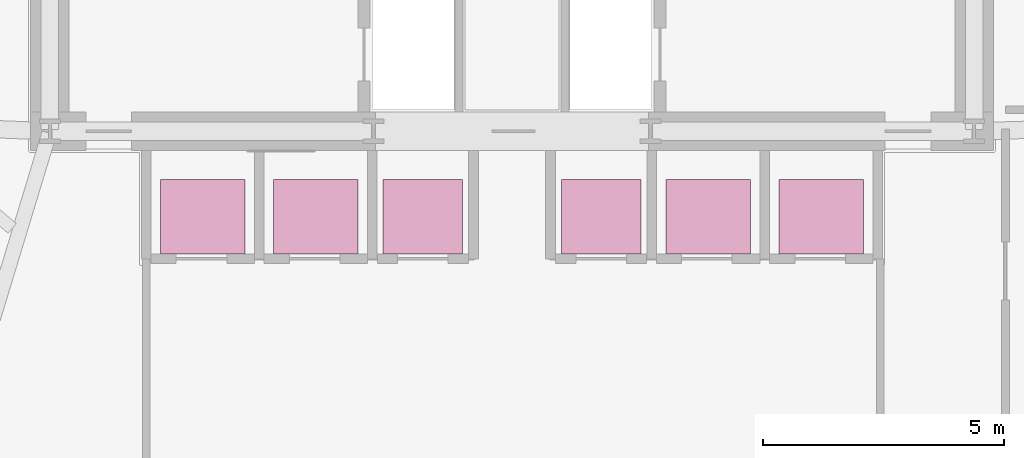
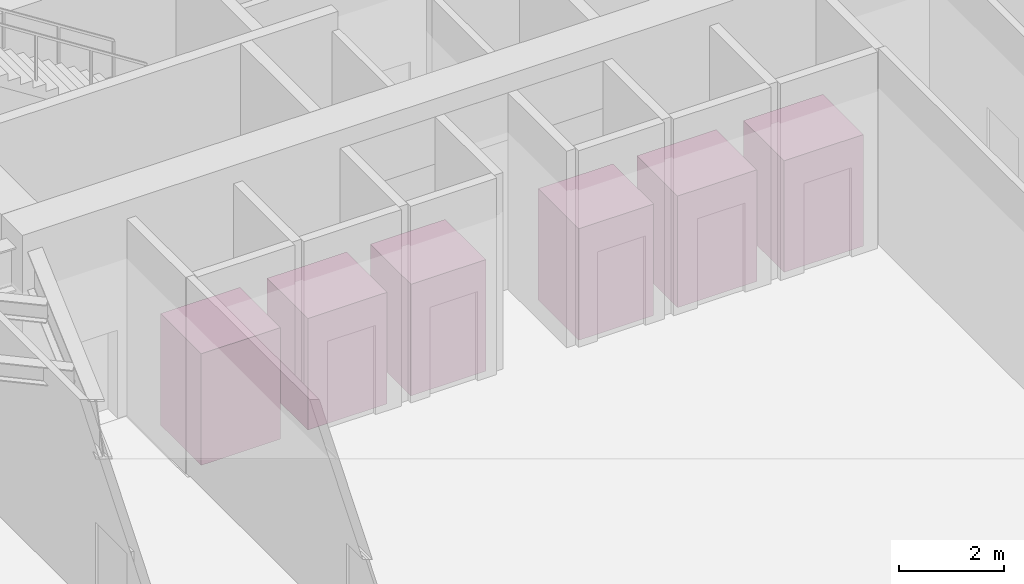
# One storey, part 31 of 31: 6 transport elements.
"""IFC4 building model written with IfcOpenShell, lengths in metres."""

from ifc_helpers import new_model, si_unit, direction, frame, origin, origin_2d, place, context, subcontext, project, spatial, rectangle, extrude, source, transform, mapped, material, type_object, type_shapes, element, save


model = new_model("IFC4")

# Units and contexts
model_context = context("Model", 3, precision=1e-05, world=origin(), true_north=direction((0.0, 1.0)))
body_context = subcontext(model_context, "Body", "Model", "MODEL_VIEW")
ifc_project = project(units=[si_unit("LENGTHUNIT", "METRE"), si_unit("AREAUNIT", "SQUARE_METRE"), si_unit("VOLUMEUNIT", "CUBIC_METRE"), si_unit("PLANEANGLEUNIT", "RADIAN"), si_unit("MASSUNIT", "GRAM", prefix="KILO")], contexts=[model_context])

# Site, building, storey
site_placement = place(None, origin())
site = spatial("IfcSite", under=ifc_project, at=site_placement, CompositionType="ELEMENT")
building_placement = place(site_placement, origin())
building = spatial("IfcBuilding", under=site, at=building_placement, Name="Astriad Promenade Condominiums", CompositionType="ELEMENT")
storey_placement = place(building_placement, origin())
storey = spatial("IfcBuildingStorey", under=building, at=storey_placement, Name="L00", CompositionType="ELEMENT", Elevation=0.0)

# Transport elements
ifc_material_1 = material(Name="Brushed Bronze Passenger Elevator Cab")
transport_element_type_1 = type_object("IfcTransportElementType", Name="LIFT-PASS-1750", PredefinedType="ELEVATOR", material=ifc_material_1)
shared_shape_1 = source(origin(), body_context, "Body", "SweptSolid", [
    extrude(rectangle(XDim=1.75, YDim=1.550048828125, at=origin_2d()), origin(), (0.0, 0.0, 1.0), 2.60009765625),
])
type_shapes(transport_element_type_1, [shared_shape_1])
for number, where, z_axis, x_axis, name in (
    (1, (29.574951171875, 15.625, 0.0), (0.0, 0.0, 1.0), (1.0, 0.0, 0.0), "PL-L1"),
    (2, (31.925048828125, 15.625, 0.0), (0.0, 0.0, 1.0), (1.0, 0.0, 0.0), "PL-L2"),
    (3, (40.074951171875, 15.625, 0.0), (0.0, 0.0, 1.0), (1.0, 0.0, 0.0), "PL-H1"),
    (4, (42.425048828125, 15.625, 0.0), (0.0, 0.0, 1.0), (1.0, 0.0, 0.0), "PL-H2"),
):
    element("IfcTransportElement", number, at=place(storey_placement, frame(where, z_axis=z_axis, x_axis=x_axis)), inside=storey, type_object=transport_element_type_1, Name=name, PredefinedType="ELEVATOR", context=body_context, shape_type="MappedRepresentation", body=[
        mapped(shared_shape_1, transform((0.0, 0.0, 0.0), scale=1.0)),
    ])
ifc_material_2 = material(Name="Brushed Bronze Mid-Zone Elevator Cab")
transport_element_type_2 = type_object("IfcTransportElementType", Name="LIFT-PASS-1650", PredefinedType="ELEVATOR", material=ifc_material_2)
shared_shape_2 = source(origin(), body_context, "Body", "SweptSolid", [
    extrude(rectangle(XDim=1.64990234375, YDim=1.550048828125, at=origin_2d()), origin(), (0.0, 0.0, 1.0), 2.60009765625),
])
type_shapes(transport_element_type_2, [shared_shape_2])
for number, where, z_axis, x_axis, name in (
    (5, (34.14990234375, 15.625, 0.0), (0.0, 0.0, 1.0), (1.0, 0.0, 0.0), "PL-M1"),
    (6, (37.85009765625, 15.625, 0.0), (0.0, 0.0, 1.0), (1.0, 0.0, 0.0), "PL-M2"),
):
    element("IfcTransportElement", number, at=place(storey_placement, frame(where, z_axis=z_axis, x_axis=x_axis)), inside=storey, type_object=transport_element_type_2, Name=name, PredefinedType="ELEVATOR", context=body_context, shape_type="MappedRepresentation", body=[
        mapped(shared_shape_2, transform((0.0, 0.0, 0.0), scale=1.0)),
    ])

save(model, "model.ifc")
